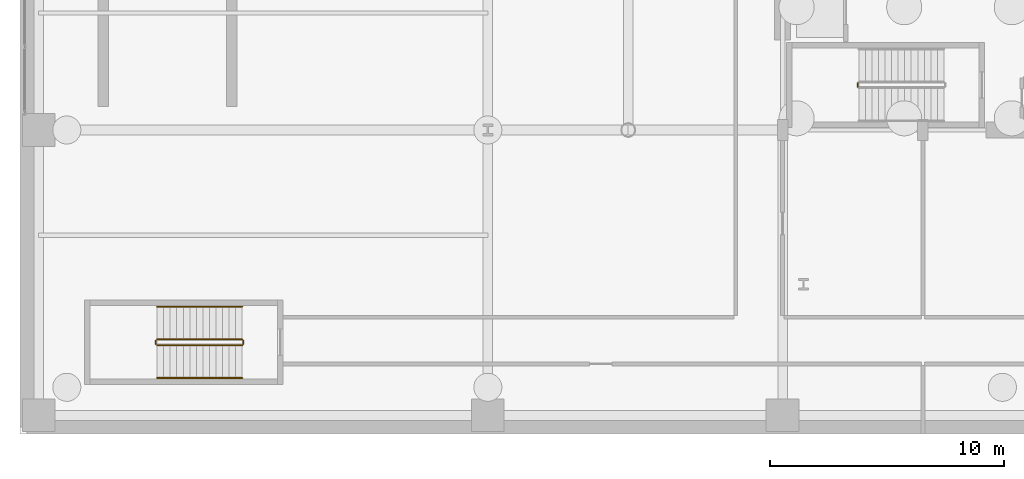
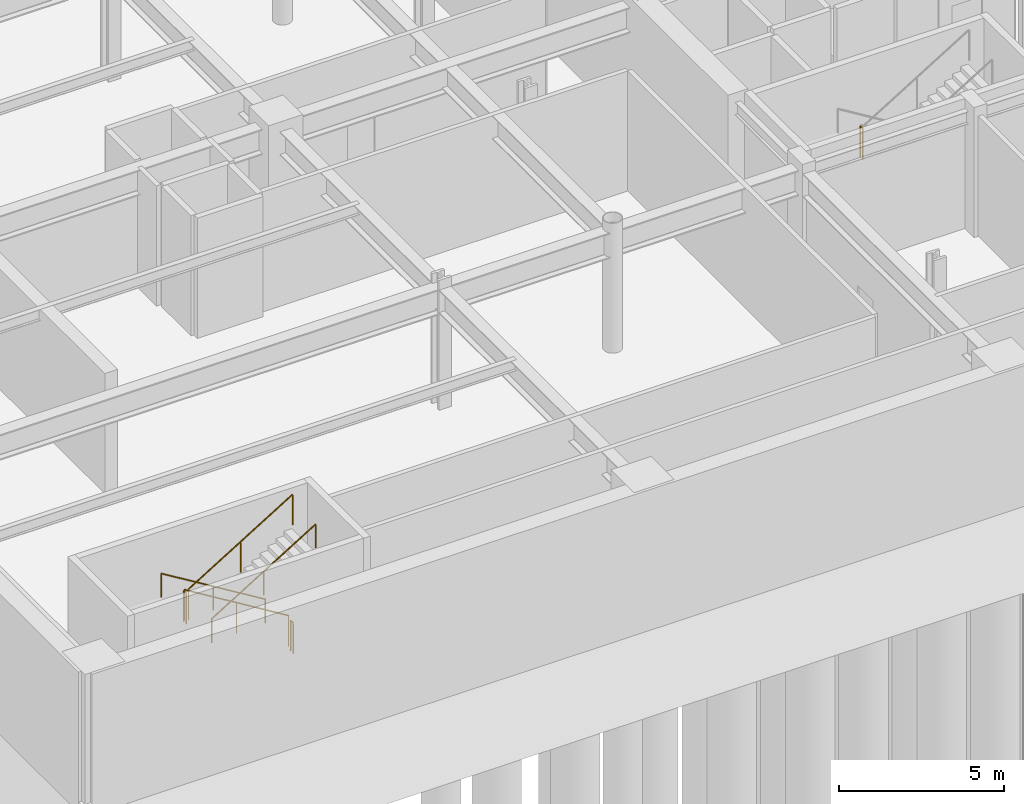
# One storey, part 22 of 25: 7 railings.
"""IFC4 building model written with IfcOpenShell, lengths in metres."""

import ifcopenshell
import ifcopenshell.guid

model = None  # the IFC model being written
_history = None  # IfcOwnerHistory: only IFC2X3 demands one
_inside = {}  # id of a spatial element -> (the spatial element, [elements in it])
_under = {}  # id of a project, library or spatial element -> (it, [spatial elements below it])
_declared = {}  # id of a project -> (the project, [libraries it declares])
_typed = {}  # id of a type object -> (the type object, [elements of that type])
_made_of = {}  # id of a material, layer set ... -> (it, [elements and type objects made of it])


def new_model(schema):
    """Start an empty IFC model of exactly this schema.

    Asked for "IFC4X3", IfcOpenShell would pick the latest addendum, in which some entities
    have other attributes; the version numbers below select the first issue.
    IFC2X3 requires an IfcOwnerHistory on every rooted entity: one is made here for all.
    """
    global model, _history
    if schema == "IFC4X3":
        model = ifcopenshell.file(schema_version=(4, 3, 0, 0))
    else:
        model = ifcopenshell.file(schema=schema)
    _inside.clear()
    _under.clear()
    _declared.clear()
    _typed.clear()
    _made_of.clear()
    _history = None
    if model.schema == "IFC2X3":
        org = make("IfcOrganization", Name="unknown")
        user = make(
            "IfcPersonAndOrganization",
            ThePerson=make("IfcPerson", FamilyName="unknown"),
            TheOrganization=org,
        )
        app = make(
            "IfcApplication",
            ApplicationDeveloper=org,
            Version="unknown",
            ApplicationFullName="unknown",
            ApplicationIdentifier="unknown",
        )
        _history = make(
            "IfcOwnerHistory",
            OwningUser=user,
            OwningApplication=app,
            ChangeAction="ADDED",
            CreationDate=0,
        )
    return model


def make(cls, **values):
    """One entity of the class cls with the attributes given. An attribute that is None is left unset."""
    return model.create_entity(
        cls, **{name: value for name, value in values.items() if value is not None}
    )


def rooted(cls, **values):
    """An entity with a GlobalId (a new one), such as an element, a storey or a relation."""
    return make(cls, GlobalId=ifcopenshell.guid.new(), OwnerHistory=_history, **values)


def si_unit(unit_type, name, prefix=None):
    """IfcSIUnit, for example si_unit("LENGTHUNIT", "METRE", prefix="MILLI")."""
    return make("IfcSIUnit", UnitType=unit_type, Prefix=prefix, Name=name)


def assignment(units):
    """IfcUnitAssignment: the units of a project."""
    return None if units is None else make("IfcUnitAssignment", Units=units)


def point(xyz):
    """IfcCartesianPoint."""
    return None if xyz is None else make("IfcCartesianPoint", Coordinates=xyz)


def direction(xyz):
    """IfcDirection."""
    return None if xyz is None else make("IfcDirection", DirectionRatios=xyz)


def frame(location, z_axis=None, x_axis=None):
    """IfcAxis2Placement3D, a coordinate frame: its origin and axes. An axis left out is left unset."""
    return make(
        "IfcAxis2Placement3D",
        Location=point(location),
        Axis=direction(z_axis),
        RefDirection=direction(x_axis),
    )


def frame_2d(location, x_axis=None):
    """IfcAxis2Placement2D, a coordinate frame in the plane: its origin and x axis."""
    return make(
        "IfcAxis2Placement2D", Location=point(location), RefDirection=direction(x_axis)
    )


def origin():
    """The frame at (0, 0, 0) with its axes left unset."""
    return frame((0.0, 0.0, 0.0))


def origin_2d():
    """The frame at (0, 0) in the plane with its x axis left unset."""
    return frame_2d((0.0, 0.0))


def place(relative_to, where):
    """IfcLocalPlacement: puts the frame where relative to a parent placement (None: the world)."""
    return make(
        "IfcLocalPlacement", PlacementRelTo=relative_to, RelativePlacement=where
    )


def context(
    kind, dimensions, precision=None, world=None, true_north=None, identifier=None
):
    """IfcGeometricRepresentationContext, for example the 3D "Model" context."""
    return make(
        "IfcGeometricRepresentationContext",
        ContextIdentifier=identifier,
        ContextType=kind,
        CoordinateSpaceDimension=dimensions,
        Precision=precision,
        WorldCoordinateSystem=world,
        TrueNorth=true_north,
    )


def subcontext(parent, identifier, kind, view, scale=None):
    """IfcGeometricRepresentationSubContext, for example "Body" below "Model"."""
    return make(
        "IfcGeometricRepresentationSubContext",
        ContextIdentifier=identifier,
        ContextType=kind,
        ParentContext=parent,
        TargetScale=scale,
        TargetView=view,
    )


def project(units=None, contexts=None):
    """IfcProject with its units and contexts."""
    return rooted(
        "IfcProject",
        Name="project",
        RepresentationContexts=contexts,
        UnitsInContext=assignment(units),
    )


def spatial(cls, under=None, at=None, **own):
    """A site, building, storey or space (cls), placed at a placement, below another one or the project."""
    s = rooted(cls, ObjectPlacement=at, **own)
    if under is not None:
        _under.setdefault(under.id(), (under, []))[1].append(s)
    return s


def profile(cls, at=None, kind="AREA", **sizes):
    """A parametric profile (cls). Its sizes go by their IFC names, for example OverallWidth=200.0."""
    return make(cls, ProfileType=kind, Position=at, **sizes)


def circle(**sizes):
    """IfcCircleProfileDef."""
    return profile("IfcCircleProfileDef", **sizes)


def extrude(swept, where, along, depth):
    """IfcExtrudedAreaSolid: the profile swept, set in the frame where, extruded along a direction by depth."""
    return make(
        "IfcExtrudedAreaSolid",
        SweptArea=swept,
        Position=where,
        ExtrudedDirection=direction(along),
        Depth=depth,
    )


def shape(context_of_items, identifier, shape_type, items):
    """IfcShapeRepresentation: the items that make up one representation, for example the "Body"."""
    return make(
        "IfcShapeRepresentation",
        ContextOfItems=context_of_items,
        RepresentationIdentifier=identifier,
        RepresentationType=shape_type,
        Items=items,
    )


def material(Name=None, Category=None):
    """IfcMaterial."""
    return make("IfcMaterial", Name=Name, Category=Category)


def made_of(thing, what):
    """Note that an element or type object is made of a material, layer set ...; save() writes the relation."""
    if what is not None:
        _made_of.setdefault(what.id(), (what, []))[1].append(thing)
    return thing


def type_object(cls, material=None, **own):
    """A type object (cls), such as IfcWallType, which elements share."""
    return made_of(rooted(cls, **own), material)


def element(
    cls,
    number,
    at=None,
    inside=None,
    cuts=None,
    type_object=None,
    material=None,
    context=None,
    identifier="Body",
    shape_type=None,
    held_by="IfcProductDefinitionShape",
    body=None,
    shapes=None,
    **own,
):
    """One element of the class cls, such as IfcWall. Its Tag is "e" and its number.

    at: its placement. inside: the storey or other place that contains it. cuts: it is an
    opening in that element (IfcRelVoidsElement). A single representation is given by context,
    identifier, shape_type and body (its items); several are given by shapes. held_by: the class
    of the entity that holds the representations. save() writes the other relations.
    """
    e = rooted(cls, Tag="e%d" % number, ObjectPlacement=at, **own)
    if body is not None:
        shapes = [shape(context, identifier, shape_type, body)]
    if shapes is not None:
        e.Representation = make(held_by, Representations=shapes)
    if inside is not None:
        _inside.setdefault(inside.id(), (inside, []))[1].append(e)
    if cuts is not None:
        rooted(
            "IfcRelVoidsElement", RelatingBuildingElement=cuts, RelatedOpeningElement=e
        )
    if type_object is not None:
        _typed.setdefault(type_object.id(), (type_object, []))[1].append(e)
    return made_of(e, material)


def aggregate(whole, parts):
    """IfcRelAggregates: a whole, such as a stair, and the parts it consists of."""
    return rooted("IfcRelAggregates", RelatingObject=whole, RelatedObjects=parts)


def save(model, path):
    """Write the relations noted so far, then the file.

    IfcRelAggregates (storeys below a building ...), IfcRelContainedInSpatialStructure (elements
    in a storey), IfcRelDefinesByType, IfcRelAssociatesMaterial and IfcRelDeclares: one each for
    every whole, place, type object, material and project.
    """
    for whole, parts in _under.values():
        aggregate(whole, parts)
    for where, things in _inside.values():
        rooted(
            "IfcRelContainedInSpatialStructure",
            RelatedElements=things,
            RelatingStructure=where,
        )
    for kind, things in _typed.values():
        rooted("IfcRelDefinesByType", RelatedObjects=things, RelatingType=kind)
    for what, things in _made_of.values():
        rooted("IfcRelAssociatesMaterial", RelatedObjects=things, RelatingMaterial=what)
    for by, libraries in _declared.values():
        rooted("IfcRelDeclares", RelatingContext=by, RelatedDefinitions=libraries)
    model.write(path)


model = new_model("IFC4")

# Units and contexts
model_context = context("Model", 3, precision=1e-05, world=origin(), true_north=direction((0.0, 1.0)))
body_context = subcontext(model_context, "Body", "Model", "MODEL_VIEW")
ifc_project = project(units=[si_unit("LENGTHUNIT", "METRE"), si_unit("AREAUNIT", "SQUARE_METRE"), si_unit("VOLUMEUNIT", "CUBIC_METRE"), si_unit("PLANEANGLEUNIT", "RADIAN"), si_unit("MASSUNIT", "GRAM", prefix="KILO")], contexts=[model_context])

# Site, building, storey
site_placement = place(None, origin())
site = spatial("IfcSite", under=ifc_project, at=site_placement, CompositionType="ELEMENT")
building_placement = place(site_placement, origin())
building = spatial("IfcBuilding", under=site, at=building_placement, Name="Soratama Intermodal Tower", CompositionType="ELEMENT")
storey_placement = place(building_placement, frame((0.0, 0.0, -10.199951171875)))
storey = spatial("IfcBuildingStorey", under=building, at=storey_placement, Name="B2", CompositionType="ELEMENT", Elevation=-10.199951171875)

# Railings
ifc_material_1 = material(Name="Painted steel stair guardrail", Category="steel")
railing_type_1 = type_object("IfcRailingType", Name="RL-STAIR-GUARD", PredefinedType="GUARDRAIL", material=ifc_material_1)
railing_1_placement = place(storey_placement, frame((35.81005859375, 17.0, 2.39990234375)))
element("IfcRailing", 1, at=railing_1_placement, inside=storey, type_object=railing_type_1, Name="B2 ST-1 stair guard 2", PredefinedType="GUARDRAIL", context=body_context, shape_type="SweptSolid", body=[
    extrude(circle(Radius=0.02392578125, at=origin_2d()), frame((0.0, 0.0, 1.1259765625), z_axis=(0.0, -1.0, 0.0), x_axis=(1.0, 0.0, 0.0)), (0.0, 0.0, 1.0), 0.14990234375),
    extrude(circle(Radius=0.02099609375, at=origin_2d()), origin(), (0.0, 0.0, 1.0), 1.101806640625),
    extrude(circle(Radius=0.02099609375, at=origin_2d()), frame((0.0, -0.14990234375, 0.0)), (0.0, 0.0, 1.0), 1.101806640625),
])
railing_2_placement = place(storey_placement, frame((9.5, 6.050048828125, 0.17138671875)))
element("IfcRailing", 2, at=railing_2_placement, inside=storey, type_object=railing_type_1, Name="B2 ST-3 stair guard 1", PredefinedType="GUARDRAIL", context=body_context, shape_type="SweptSolid", body=[
    extrude(circle(Radius=0.02392578125, at=origin_2d()), frame((0.0, 0.0, 1.1259765625), z_axis=(-0.852850264322, 0.0, 0.5221555579), x_axis=(0.0, -1.0, 0.0)), (0.0, 0.0, 1.0), 4.267822265625),
    extrude(circle(Radius=0.02099609375, at=origin_2d()), origin(), (0.0, 0.0, 1.0), 1.101806640625),
    extrude(circle(Radius=0.02099609375, at=origin_2d()), frame((-1.81982421875, 0.0, 1.1142578125)), (0.0, 0.0, 1.0), 1.101806640625),
    extrude(circle(Radius=0.02099609375, at=origin_2d()), frame((-3.639892578125, 0.0, 2.228515625)), (0.0, 0.0, 1.0), 1.101806640625),
])
railing_3_placement = place(storey_placement, frame((5.81005859375, 6.0, 2.39990234375)))
element("IfcRailing", 3, at=railing_3_placement, inside=storey, type_object=railing_type_1, Name="B2 ST-3 stair guard 2", PredefinedType="GUARDRAIL", context=body_context, shape_type="SweptSolid", body=[
    extrude(circle(Radius=0.02392578125, at=origin_2d()), frame((0.0, 0.0, 1.1259765625), z_axis=(0.0, -1.0, 0.0), x_axis=(1.0, 0.0, 0.0)), (0.0, 0.0, 1.0), 0.14990234375),
    extrude(circle(Radius=0.02099609375, at=origin_2d()), origin(), (0.0, 0.0, 1.0), 1.101806640625),
    extrude(circle(Radius=0.02099609375, at=origin_2d()), frame((0.0, -0.14990234375, 0.0)), (0.0, 0.0, 1.0), 1.101806640625),
])
railing_4_placement = place(storey_placement, frame((5.860107421875, 5.800048828125, 2.5712890625)))
element("IfcRailing", 4, at=railing_4_placement, inside=storey, type_object=railing_type_1, Name="B2 ST-3 stair guard 3", PredefinedType="GUARDRAIL", context=body_context, shape_type="SweptSolid", body=[
    extrude(circle(Radius=0.02392578125, at=origin_2d()), frame((0.0, 0.0, 1.1259765625), z_axis=(0.852824790078, 0.0, 0.522197163366), x_axis=(0.0, 1.0, 0.0)), (0.0, 0.0, 1.0), 4.26806640625),
    extrude(circle(Radius=0.02099609375, at=origin_2d()), origin(), (0.0, 0.0, 1.0), 1.101806640625),
    extrude(circle(Radius=0.02099609375, at=origin_2d()), frame((1.81982421875, 0.0, 1.1142578125)), (0.0, 0.0, 1.0), 1.101806640625),
    extrude(circle(Radius=0.02099609375, at=origin_2d()), frame((3.639892578125, 0.0, 2.228759765625)), (0.0, 0.0, 1.0), 1.101806640625),
])
railing_5_placement = place(storey_placement, frame((9.550048828125, 6.0, 0.0)))
element("IfcRailing", 5, at=railing_5_placement, inside=storey, type_object=railing_type_1, Name="B2 ST-3 stair guard 4", PredefinedType="GUARDRAIL", context=body_context, shape_type="SweptSolid", body=[
    extrude(circle(Radius=0.02392578125, at=origin_2d()), frame((0.0, 0.0, 1.1259765625), z_axis=(0.0, -1.0, 0.0), x_axis=(1.0, 0.0, 0.0)), (0.0, 0.0, 1.0), 0.14990234375),
    extrude(circle(Radius=0.02099609375, at=origin_2d()), origin(), (0.0, 0.0, 1.0), 1.101806640625),
    extrude(circle(Radius=0.02099609375, at=origin_2d()), frame((0.0, -0.14990234375, 0.0)), (0.0, 0.0, 1.0), 1.101806640625),
])
ifc_material_2 = material(Name="Brushed stainless steel handrail", Category="steel")
railing_type_2 = type_object("IfcRailingType", Name="RL-STAIR-HAND", PredefinedType="HANDRAIL", material=ifc_material_2)
railing_6_placement = place(storey_placement, frame((9.5, 7.449951171875, 0.17138671875)))
element("IfcRailing", 6, at=railing_6_placement, inside=storey, type_object=railing_type_2, Name="B2 ST-3 stair handrail 1", PredefinedType="HANDRAIL", context=body_context, shape_type="SweptSolid", body=[
    extrude(circle(Radius=0.02392578125, at=origin_2d()), frame((0.0, 0.0, 0.8759765625), z_axis=(-0.852850264322, 0.0, 0.5221555579), x_axis=(0.0, -1.0, 0.0)), (0.0, 0.0, 1.0), 4.267822265625),
    extrude(circle(Radius=0.02099609375, at=origin_2d()), origin(), (0.0, 0.0, 1.0), 0.851806640625),
    extrude(circle(Radius=0.02099609375, at=origin_2d()), frame((-1.81982421875, 0.0, 1.1142578125)), (0.0, 0.0, 1.0), 0.851806640625),
    extrude(circle(Radius=0.02099609375, at=origin_2d()), frame((-3.639892578125, 0.0, 2.228515625)), (0.0, 0.0, 1.0), 0.851806640625),
])
railing_7_placement = place(storey_placement, frame((5.860107421875, 4.39990234375, 2.5712890625)))
element("IfcRailing", 7, at=railing_7_placement, inside=storey, type_object=railing_type_2, Name="B2 ST-3 stair handrail 2", PredefinedType="HANDRAIL", context=body_context, shape_type="SweptSolid", body=[
    extrude(circle(Radius=0.02392578125, at=origin_2d()), frame((0.0, 0.0, 0.8759765625), z_axis=(0.852824790078, 0.0, 0.522197163366), x_axis=(0.0, 1.0, 0.0)), (0.0, 0.0, 1.0), 4.26806640625),
    extrude(circle(Radius=0.02099609375, at=origin_2d()), origin(), (0.0, 0.0, 1.0), 0.851806640625),
    extrude(circle(Radius=0.02099609375, at=origin_2d()), frame((1.81982421875, 0.0, 1.1142578125)), (0.0, 0.0, 1.0), 0.851806640625),
    extrude(circle(Radius=0.02099609375, at=origin_2d()), frame((3.639892578125, 0.0, 2.228759765625)), (0.0, 0.0, 1.0), 0.851806640625),
])

save(model, "model.ifc")
